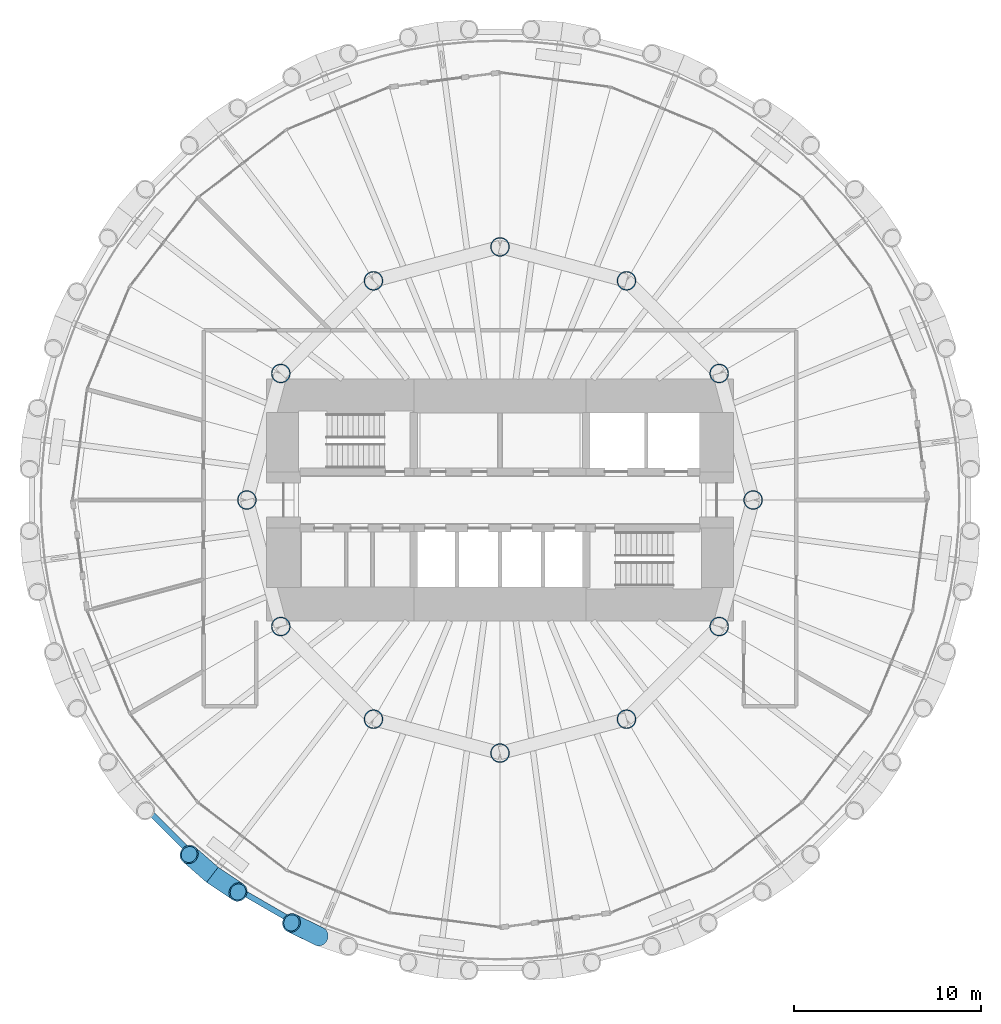
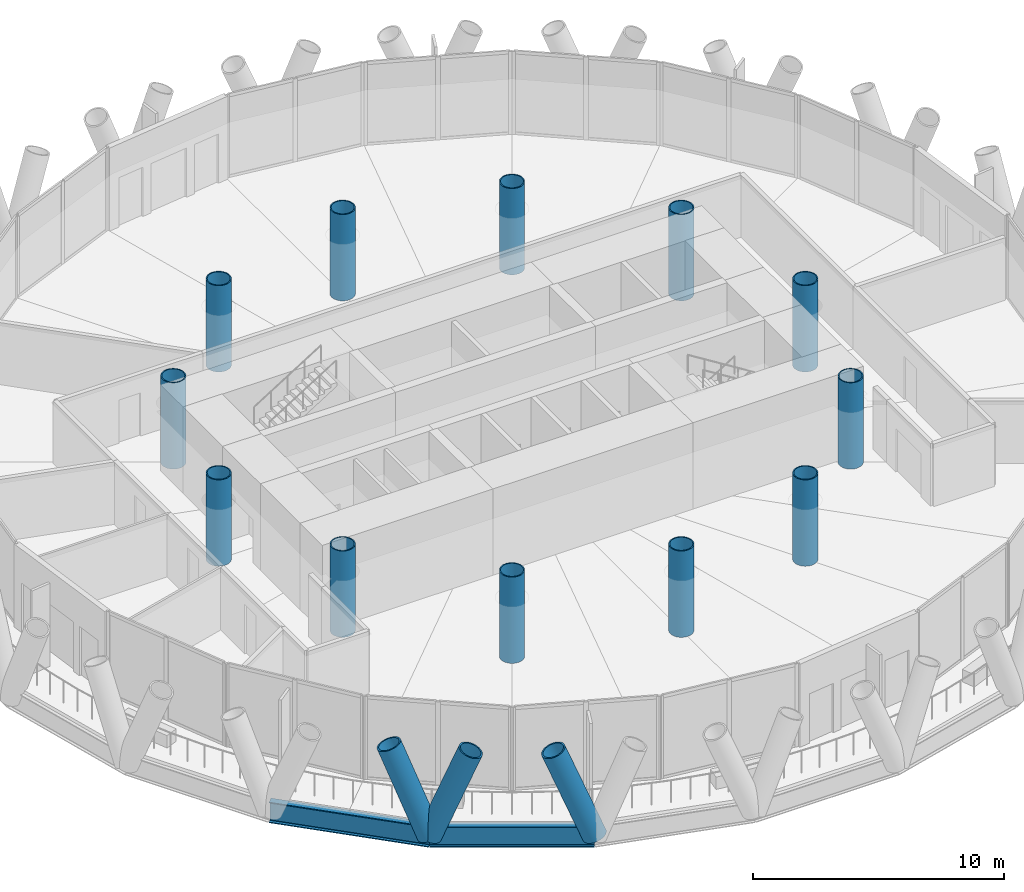
# One storey, part 1 of 14: 12 columns, 3 members, 2 beams.
"""IFC4 building model written with IfcOpenShell, lengths in metres."""

from ifc_helpers import new_model, si_unit, direction, frame, origin, origin_2d, place, context, subcontext, project, spatial, hollow_circle, i_section, extrude, material, material_profile, profile_set, type_object, element, save


model = new_model("IFC4")

# Units and contexts
model_context = context("Model", 3, precision=1e-05, world=origin(), true_north=direction((0.0, 1.0)))
body_context = subcontext(model_context, "Body", "Model", "MODEL_VIEW")
ifc_project = project(units=[si_unit("LENGTHUNIT", "METRE"), si_unit("AREAUNIT", "SQUARE_METRE"), si_unit("VOLUMEUNIT", "CUBIC_METRE"), si_unit("PLANEANGLEUNIT", "RADIAN"), si_unit("MASSUNIT", "GRAM", prefix="KILO")], contexts=[model_context])

# Site, building, storey
site_placement = place(None, origin())
site = spatial("IfcSite", under=ifc_project, at=site_placement, CompositionType="ELEMENT")
building_placement = place(site_placement, origin())
building = spatial("IfcBuilding", under=site, at=building_placement, Name="Qaws Media Tower", CompositionType="ELEMENT")
storey_placement = place(building_placement, frame((0.0, 0.0, 118.39990234375)))
storey = spatial("IfcBuildingStorey", under=building, at=storey_placement, Name="L26", CompositionType="ELEMENT", Elevation=118.39990234375)

# Columns
ifc_material_1 = material(Name="Steel S460", Category="steel")
ifc_material_profile_1 = material_profile(ifc_material_1, hollow_circle(Radius=0.508056640625, WallThickness=0.050048828125, at=origin_2d()), Name="CHS 1016x50")
ifc_profile_set_1 = profile_set([ifc_material_profile_1], Name="Steel S460")
column_type = type_object("IfcColumnType", Name="Inner column CHS 1016x50", PredefinedType="COLUMN", material=ifc_profile_set_1)
for number, where, z_axis, x_axis, name in (
    (1, (73.5, 50.0, 0.0), (0.0, 0.0, 1.0), (1.0, 0.0, 0.0), "C2 inner column I01 L26"),
    (2, (71.69140625, 56.75, 0.0), (0.0, 0.0, 1.0), (1.0, 0.0, 0.0), "C2 inner column I02 L26"),
    (3, (66.75, 61.69140625, 0.0), (0.0, 0.0, 1.0), (1.0, 0.0, 0.0), "C2 inner column I03 L26"),
    (4, (60.0, 63.5, 0.0), (0.0, 0.0, 1.0), (1.0, 0.0, 0.0), "C2 inner column I04 L26"),
    (5, (53.25, 61.69140625, 0.0), (0.0, 0.0, 1.0), (1.0, 0.0, 0.0), "C2 inner column I05 L26"),
    (6, (48.30859375, 56.75, 0.0), (0.0, 0.0, 1.0), (1.0, 0.0, 0.0), "C2 inner column I06 L26"),
    (7, (46.5, 50.0, 0.0), (0.0, 0.0, 1.0), (1.0, 0.0, 0.0), "C2 inner column I07 L26"),
    (8, (48.30859375, 43.25, 0.0), (0.0, 0.0, 1.0), (1.0, 0.0, 0.0), "C2 inner column I08 L26"),
    (9, (53.25, 38.30859375, 0.0), (0.0, 0.0, 1.0), (1.0, 0.0, 0.0), "C2 inner column I09 L26"),
    (10, (60.0, 36.5, 0.0), (0.0, 0.0, 1.0), (1.0, 0.0, 0.0), "C2 inner column I10 L26"),
    (11, (66.75, 38.30859375, 0.0), (0.0, 0.0, 1.0), (1.0, 0.0, 0.0), "C2 inner column I11 L26"),
    (12, (71.69140625, 43.25, 0.0), (0.0, 0.0, 1.0), (1.0, 0.0, 0.0), "C2 inner column I12 L26"),
):
    element("IfcColumn", number, at=place(storey_placement, frame(where, z_axis=z_axis, x_axis=x_axis)), inside=storey, type_object=column_type, Name=name, PredefinedType="COLUMN", context=body_context, shape_type="SweptSolid", body=[
        extrude(hollow_circle(Radius=0.508056640625, WallThickness=0.050048828125, at=origin_2d()), origin(), (0.0, 0.0, 1.0), 4.2001953125),
    ])

# Members
ifc_material_2 = material(Name="Steel S460", Category="steel")
ifc_material_profile_2 = material_profile(ifc_material_2, hollow_circle(Radius=0.508056640625, WallThickness=0.070068359375, at=origin_2d()), Name="CHS 1016x70")
ifc_profile_set_2 = profile_set([ifc_material_profile_2], Name="Steel S460")
member_type = type_object("IfcMemberType", Name="Diagrid member CHS 1016x70", PredefinedType="USERDEFINED", material=ifc_profile_set_2)
for number, where, z_axis, x_axis, name in (
    (13, (44.6591796875, 30.007568359375, -0.663818359375), (0.303244390863, -0.203678066954, 0.93089101642), (0.557568372369, 0.83013101986, 0.0), "DG3 diagrid L26 A16"),
    (14, (44.6591796875, 30.007568359375, -0.663818359375), (-0.275214465355, 0.240203895342, 0.930891554759), (-0.657560236783, -0.753401974381, 0.0), "DG3 diagrid L26 B16"),
    (15, (50.3564453125, 26.71826171875, -0.663818359375), (-0.328026703991, 0.160766634371, 0.930888054893), (-0.440089304475, -0.897954010006, 0.0), "DG3 diagrid L26 B17"),
):
    element("IfcMember", number, at=place(storey_placement, frame(where, z_axis=z_axis, x_axis=x_axis)), inside=storey, type_object=member_type, Name=name, ObjectType="DIAGRID", PredefinedType="USERDEFINED", context=body_context, shape_type="SweptSolid", body=[
        extrude(hollow_circle(Radius=0.508056640625, WallThickness=0.070068359375, at=origin_2d()), origin(), (0.0, 0.0, 1.0), 4.51171875),
    ])

# Beams
ifc_material_3 = material(Name="Steel S460", Category="steel")
ifc_material_profile_3 = material_profile(ifc_material_3, i_section(OverallWidth=0.302001953125, OverallDepth=1.008056640625, WebThickness=0.02099609375, FlangeThickness=0.0400390625, FilletRadius=0.030029296875, at=origin_2d()), Name="HE 1000 M")
ifc_profile_set_3 = profile_set([ifc_material_profile_3], Name="Steel S460")
beam_type = type_object("IfcBeamType", Name="Edge ring beam HE 1000 M", PredefinedType="BEAM", material=ifc_profile_set_3)
beam_1_placement = place(storey_placement, frame((40.007568359375, 34.6591796875, -0.663818359375), z_axis=(0.707106781187, -0.707106781187, 0.0), x_axis=(0.707106781187, 0.707106781187, 0.0)))
element("IfcBeam", 16, at=beam_1_placement, inside=storey, type_object=beam_type, Name="RB3 edge ring beam L26-15", PredefinedType="BEAM", context=body_context, shape_type="SweptSolid", body=[
    extrude(i_section(OverallWidth=0.302001953125, OverallDepth=1.008056640625, WebThickness=0.02099609375, FlangeThickness=0.0400390625, FilletRadius=0.030029296875, at=origin_2d()), origin(), (0.0, 0.0, 1.0), 6.578369140625),
])
beam_2_placement = place(storey_placement, frame((44.6591796875, 30.007568359375, -0.663818359375), z_axis=(0.866026141086, -0.499998722954, 0.0), x_axis=(0.499998722954, 0.866026141086, 0.0)))
element("IfcBeam", 17, at=beam_2_placement, inside=storey, type_object=beam_type, Name="RB3 edge ring beam L26-16", PredefinedType="BEAM", context=body_context, shape_type="SweptSolid", body=[
    extrude(i_section(OverallWidth=0.302001953125, OverallDepth=1.008056640625, WebThickness=0.02099609375, FlangeThickness=0.0400390625, FilletRadius=0.030029296875, at=origin_2d()), origin(), (0.0, 0.0, 1.0), 6.57861328125),
])

save(model, "model.ifc")
